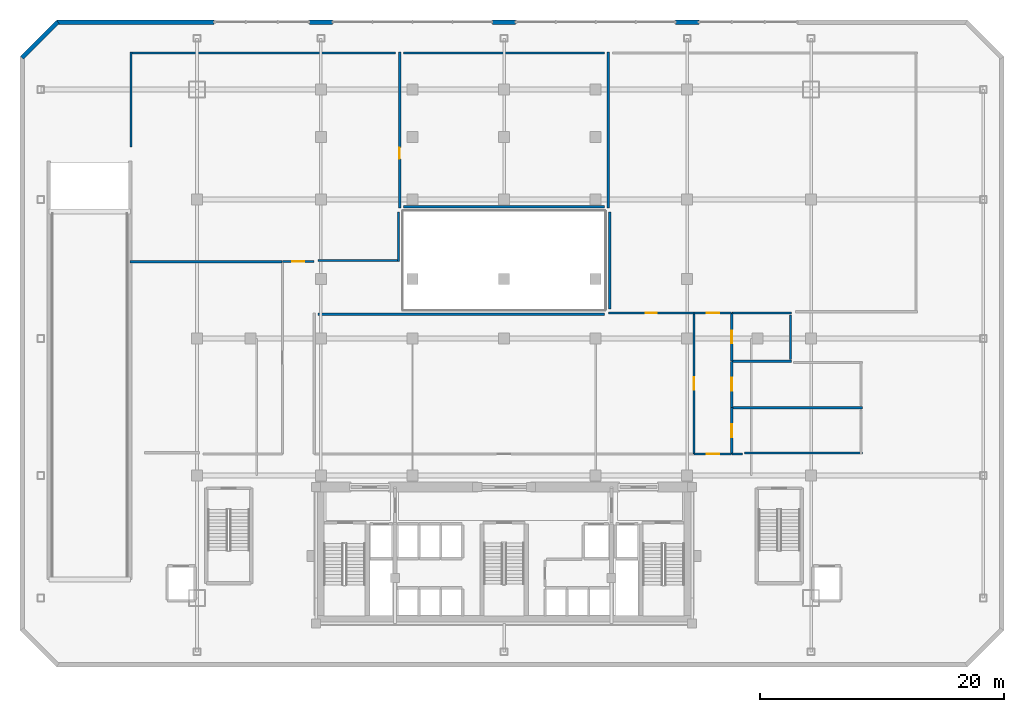
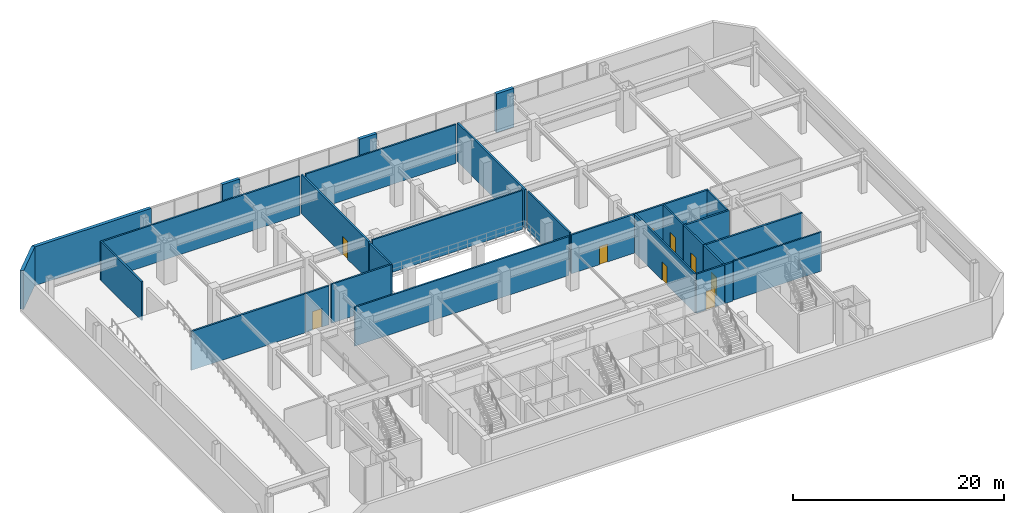
# One storey, part 12 of 15: 30 walls, 9 doors, 9 openings.
"""IFC4 building model written with IfcOpenShell, lengths in metres."""

from ifc_helpers import new_model, si_unit, direction, frame, frame_2d, origin, place, context, subcontext, project, spatial, rectangle, extrude, material, layer, layer_set, type_object, element, fill, save


model = new_model("IFC4")

# Units and contexts
model_context = context("Model", 3, precision=1e-05, world=origin(), true_north=direction((0.0, 1.0)))
body_context = subcontext(model_context, "Body", "Model", "MODEL_VIEW")
ifc_project = project(units=[si_unit("LENGTHUNIT", "METRE"), si_unit("AREAUNIT", "SQUARE_METRE"), si_unit("VOLUMEUNIT", "CUBIC_METRE"), si_unit("PLANEANGLEUNIT", "RADIAN"), si_unit("MASSUNIT", "GRAM", prefix="KILO")], contexts=[model_context])

# Site, building, storey
site_placement = place(None, origin())
site = spatial("IfcSite", under=ifc_project, at=site_placement, CompositionType="ELEMENT")
building_placement = place(site_placement, origin())
building = spatial("IfcBuilding", under=site, at=building_placement, Name="Ventersveld Concourse Tower", CompositionType="ELEMENT")
storey_placement = place(building_placement, frame((0.0, 0.0, 5.39990234375)))
storey = spatial("IfcBuildingStorey", under=building, at=storey_placement, Name="L01", CompositionType="ELEMENT", Elevation=5.39990234375)

# Wall, opening, door
ifc_material_1 = material(Name="Fire-rated autoclaved aerated masonry blockwork", Category="masonry")
ifc_layer_1 = layer(ifc_material_1, 0.179931640625)
ifc_layer_set_1 = layer_set([ifc_layer_1], Name="Fire-rated autoclaved aerated masonry blockwork")
wall_type_1 = type_object("IfcWallType", Name="WL-CORR-180", PredefinedType="PARTITIONING", material=ifc_layer_set_1)
wall_1_placement = place(storey_placement, frame((10.60498046875, 29.909912109375, 0.0), z_axis=(0.0, 0.0, 1.0), x_axis=(1.0, 0.0, 0.0)))
wall_1 = element("IfcWall", 1, at=wall_1_placement, inside=storey, type_object=wall_type_1, Name="L01 Interior Partition SP-L01-GAL-SP-L01-RET2", PredefinedType="PARTITIONING", context=body_context, shape_type="SweptSolid", body=[
    extrude(rectangle(XDim=2.590087890625, YDim=0.179931640625, at=frame_2d((1.294921875, 0.0))), origin(), (0.0, 0.0, 1.0), 4.5),
])
opening_1_placement = place(wall_1_placement, frame((0.794921875, 0.0, 0.0)))
opening_1 = element("IfcOpeningElement", 2, at=opening_1_placement, cuts=wall_1, Name="Opening FD3", PredefinedType="OPENING", context=body_context, shape_type="SweptSolid", body=[
    extrude(rectangle(XDim=1.0, YDim=2.14990234375, at=frame_2d((0.5, 1.074951171875))), frame((0.0, 0.10009765625, 0.0), z_axis=(0.0, -1.0, 0.0), x_axis=(1.0, 0.0, 0.0)), (0.0, 0.0, 1.0), 0.199951171875),
])
ifc_material_2 = material(Name="Solid-core hardwood veneer timber", Category="wood")
door_type_1 = type_object("IfcDoorType", Name="DR-FLAT-100", OperationType="NOTDEFINED", PredefinedType="DOOR", material=ifc_material_2)
door_1_placement = place(opening_1_placement, origin())
door_1 = element("IfcDoor", 3, at=door_1_placement, inside=storey, type_object=door_type_1, Name="L01 Interior Door SP-L01-GAL to SP-L01-RET2 (D-L01-0088)", OperationType="SINGLE_SWING_RIGHT", OverallHeight=2.14990234375, OverallWidth=1.0, PredefinedType="DOOR", context=body_context, shape_type="SweptSolid", body=[
    extrude(rectangle(XDim=1.0, YDim=2.14990234375, at=frame_2d((0.5, 1.074951171875))), frame((0.0, 0.02490234375, 0.0), z_axis=(0.0, -1.0, 0.0), x_axis=(1.0, 0.0, 0.0)), (0.0, 0.0, 1.0), 0.050048828125),
])
fill(opening_1, door_1)

wall_2_placement = place(storey_placement, frame((44.324951171875, 14.14990234375, 0.0), z_axis=(0.0, 0.0, 1.0), x_axis=(1.0, 0.0, 0.0)))
wall_2 = element("IfcWall", 4, at=wall_2_placement, inside=storey, type_object=wall_type_1, Name="L01 Interior Partition SP-L01-GAL-SP-L01-WCLOB", PredefinedType="PARTITIONING", context=body_context, shape_type="SweptSolid", body=[
    extrude(rectangle(XDim=3.070068359375, YDim=0.179931640625, at=frame_2d((1.53515625, 0.0))), origin(), (0.0, 0.0, 1.0), 4.5),
])
opening_2_placement = place(wall_2_placement, frame((1.034912109375, 0.0, 0.0)))
opening_2 = element("IfcOpeningElement", 5, at=opening_2_placement, cuts=wall_2, Name="Opening FD3", PredefinedType="OPENING", context=body_context, shape_type="SweptSolid", body=[
    extrude(rectangle(XDim=1.0, YDim=2.14990234375, at=frame_2d((0.5, 1.074951171875))), frame((0.0, 0.10009765625, 0.0), z_axis=(0.0, -1.0, 0.0), x_axis=(1.0, 0.0, 0.0)), (0.0, 0.0, 1.0), 0.199951171875),
])
door_2_placement = place(opening_2_placement, origin())
door_2 = element("IfcDoor", 6, at=door_2_placement, inside=storey, type_object=door_type_1, Name="L01 Interior Door SP-L01-GAL to SP-L01-WCLOB (D-L01-0089)", OperationType="SINGLE_SWING_LEFT", OverallHeight=2.14990234375, OverallWidth=1.0, PredefinedType="DOOR", context=body_context, shape_type="SweptSolid", body=[
    extrude(rectangle(XDim=1.0, YDim=2.14990234375, at=frame_2d((0.5, 1.074951171875))), frame((0.0, 0.02490234375, 0.0), z_axis=(0.0, -1.0, 0.0), x_axis=(1.0, 0.0, 0.0)), (0.0, 0.0, 1.0), 0.050048828125),
])
fill(opening_2, door_2)

# Wall
wall_3_placement = place(storey_placement, frame((47.425048828125, 14.14990234375, 0.0), z_axis=(0.0, 0.0, 1.0), x_axis=(1.0, 0.0, 0.0)))
element("IfcWall", 7, at=wall_3_placement, inside=storey, type_object=wall_type_1, Name="L01 Interior Partition SP-L01-GAL-SP-L01-MWC", PredefinedType="PARTITIONING", context=body_context, shape_type="SweptSolid", body=[
    extrude(rectangle(XDim=0.869873046875, YDim=0.179931640625, at=frame_2d((0.43505859375, 0.0))), origin(), (0.0, 0.0, 1.0), 4.5),
])

# Wall, opening, door
wall_4_placement = place(storey_placement, frame((44.300048828125, 14.155029296875, 0.0), z_axis=(0.0, 0.0, 1.0), x_axis=(0.0, 1.0, 0.0)))
wall_4 = element("IfcWall", 8, at=wall_4_placement, inside=storey, type_object=wall_type_1, Name="L01 Interior Partition SP-L01-RETC-SP-L01-WCLOB", PredefinedType="PARTITIONING", context=body_context, shape_type="SweptSolid", body=[
    extrude(rectangle(XDim=11.5400390625, YDim=0.179931640625, at=frame_2d((5.77001953125, 0.0))), origin(), (0.0, 0.0, 1.0), 4.5),
])
opening_3_placement = place(wall_4_placement, frame((5.27001953125, 0.0, 0.0)))
opening_3 = element("IfcOpeningElement", 9, at=opening_3_placement, cuts=wall_4, Name="Opening FD3", PredefinedType="OPENING", context=body_context, shape_type="SweptSolid", body=[
    extrude(rectangle(XDim=1.0, YDim=2.14990234375, at=frame_2d((0.5, 1.074951171875))), frame((0.0, 0.10009765625, 0.0), z_axis=(0.0, -1.0, 0.0), x_axis=(1.0, 0.0, 0.0)), (0.0, 0.0, 1.0), 0.199951171875),
])
door_3_placement = place(opening_3_placement, origin())
door_3 = element("IfcDoor", 10, at=door_3_placement, inside=storey, type_object=door_type_1, Name="L01 Interior Door SP-L01-RETC to SP-L01-WCLOB (D-L01-0091)", OperationType="SINGLE_SWING_LEFT", OverallHeight=2.14990234375, OverallWidth=1.0, PredefinedType="DOOR", context=body_context, shape_type="SweptSolid", body=[
    extrude(rectangle(XDim=1.0, YDim=2.14990234375, at=frame_2d((0.5, 1.074951171875))), frame((0.0, 0.02490234375, 0.0), z_axis=(0.0, -1.0, 0.0), x_axis=(1.0, 0.0, 0.0)), (0.0, 0.0, 1.0), 0.050048828125),
])
fill(opening_3, door_3)

wall_5_placement = place(storey_placement, frame((44.324951171875, 25.699951171875, 0.0), z_axis=(0.0, 0.0, 1.0), x_axis=(1.0, 0.0, 0.0)))
wall_5 = element("IfcWall", 11, at=wall_5_placement, inside=storey, type_object=wall_type_1, Name="L01 Interior Partition SP-L01-FOOD-SP-L01-WCLOB", PredefinedType="PARTITIONING", context=body_context, shape_type="SweptSolid", body=[
    extrude(rectangle(XDim=3.070068359375, YDim=0.179931640625, at=frame_2d((1.53515625, 0.0))), origin(), (0.0, 0.0, 1.0), 4.5),
])
opening_4_placement = place(wall_5_placement, frame((1.034912109375, 0.0, 0.0)))
opening_4 = element("IfcOpeningElement", 12, at=opening_4_placement, cuts=wall_5, Name="Opening FD3", PredefinedType="OPENING", context=body_context, shape_type="SweptSolid", body=[
    extrude(rectangle(XDim=1.0, YDim=2.14990234375, at=frame_2d((0.5, 1.074951171875))), frame((0.0, 0.10009765625, 0.0), z_axis=(0.0, -1.0, 0.0), x_axis=(1.0, 0.0, 0.0)), (0.0, 0.0, 1.0), 0.199951171875),
])
door_4_placement = place(opening_4_placement, origin())
door_4 = element("IfcDoor", 13, at=door_4_placement, inside=storey, type_object=door_type_1, Name="L01 Interior Door SP-L01-FOOD to SP-L01-WCLOB (D-L01-0093)", OperationType="SINGLE_SWING_LEFT", OverallHeight=2.14990234375, OverallWidth=1.0, PredefinedType="DOOR", context=body_context, shape_type="SweptSolid", body=[
    extrude(rectangle(XDim=1.0, YDim=2.14990234375, at=frame_2d((0.5, 1.074951171875))), frame((0.0, 0.02490234375, 0.0), z_axis=(0.0, -1.0, 0.0), x_axis=(1.0, 0.0, 0.0)), (0.0, 0.0, 1.0), 0.050048828125),
])
fill(opening_4, door_4)

wall_6_placement = place(storey_placement, frame((47.39990234375, 14.155029296875, 0.0), z_axis=(0.0, 0.0, 1.0), x_axis=(0.0, 1.0, 0.0)))
wall_6 = element("IfcWall", 14, at=wall_6_placement, inside=storey, type_object=wall_type_1, Name="L01 Interior Partition SP-L01-WCLOB-SP-L01-MWC", PredefinedType="PARTITIONING", context=body_context, shape_type="SweptSolid", body=[
    extrude(rectangle(XDim=3.7900390625, YDim=0.179931640625, at=frame_2d((1.89501953125, 0.0))), origin(), (0.0, 0.0, 1.0), 4.5),
])
opening_5_placement = place(wall_6_placement, frame((1.3701171875, 0.0, 0.0)))
opening_5 = element("IfcOpeningElement", 15, at=opening_5_placement, cuts=wall_6, Name="Opening ID3", PredefinedType="OPENING", context=body_context, shape_type="SweptSolid", body=[
    extrude(rectangle(XDim=1.050048828125, YDim=2.14990234375, at=frame_2d((0.52490234375, 1.074951171875))), frame((0.0, 0.10009765625, 0.0), z_axis=(0.0, -1.0, 0.0), x_axis=(1.0, 0.0, 0.0)), (0.0, 0.0, 1.0), 0.199951171875),
])
door_type_2 = type_object("IfcDoorType", Name="DR-AWC-105", OperationType="NOTDEFINED", PredefinedType="DOOR", material=ifc_material_2)
door_5_placement = place(opening_5_placement, origin())
door_5 = element("IfcDoor", 16, at=door_5_placement, inside=storey, type_object=door_type_2, Name="L01 Interior Door SP-L01-WCLOB to SP-L01-MWC (WD-L01-0094)", OperationType="SINGLE_SWING_RIGHT", OverallHeight=2.14990234375, OverallWidth=1.050048828125, PredefinedType="DOOR", context=body_context, shape_type="SweptSolid", body=[
    extrude(rectangle(XDim=1.050048828125, YDim=2.14990234375, at=frame_2d((0.52490234375, 1.074951171875))), frame((0.0, 0.02490234375, 0.0), z_axis=(0.0, -1.0, 0.0), x_axis=(1.0, 0.0, 0.0)), (0.0, 0.0, 1.0), 0.050048828125),
])
fill(opening_5, door_5)

wall_7_placement = place(storey_placement, frame((47.39990234375, 17.97509765625, 0.0), z_axis=(0.0, 0.0, 1.0), x_axis=(0.0, 1.0, 0.0)))
wall_7 = element("IfcWall", 17, at=wall_7_placement, inside=storey, type_object=wall_type_1, Name="L01 Interior Partition SP-L01-WCLOB-SP-L01-FWC", PredefinedType="PARTITIONING", context=body_context, shape_type="SweptSolid", body=[
    extrude(rectangle(XDim=3.77001953125, YDim=0.179931640625, at=frame_2d((1.885009765625, 0.0))), origin(), (0.0, 0.0, 1.0), 4.5),
])
opening_6_placement = place(wall_7_placement, frame((1.360107421875, 0.0, 0.0)))
opening_6 = element("IfcOpeningElement", 18, at=opening_6_placement, cuts=wall_7, Name="Opening ID3", PredefinedType="OPENING", context=body_context, shape_type="SweptSolid", body=[
    extrude(rectangle(XDim=1.050048828125, YDim=2.14990234375, at=frame_2d((0.52490234375, 1.074951171875))), frame((0.0, 0.10009765625, 0.0), z_axis=(0.0, -1.0, 0.0), x_axis=(1.0, 0.0, 0.0)), (0.0, 0.0, 1.0), 0.199951171875),
])
door_6_placement = place(opening_6_placement, origin())
door_6 = element("IfcDoor", 19, at=door_6_placement, inside=storey, type_object=door_type_2, Name="L01 Interior Door SP-L01-WCLOB to SP-L01-FWC (WD-L01-0095)", OperationType="SINGLE_SWING_LEFT", OverallHeight=2.14990234375, OverallWidth=1.050048828125, PredefinedType="DOOR", context=body_context, shape_type="SweptSolid", body=[
    extrude(rectangle(XDim=1.050048828125, YDim=2.14990234375, at=frame_2d((0.52490234375, 1.074951171875))), frame((0.0, 0.02490234375, 0.0), z_axis=(0.0, -1.0, 0.0), x_axis=(1.0, 0.0, 0.0)), (0.0, 0.0, 1.0), 0.050048828125),
])
fill(opening_6, door_6)

wall_8_placement = place(storey_placement, frame((47.39990234375, 21.77490234375, 0.0), z_axis=(0.0, 0.0, 1.0), x_axis=(0.0, 1.0, 0.0)))
wall_8 = element("IfcWall", 20, at=wall_8_placement, inside=storey, type_object=wall_type_1, Name="L01 Interior Partition SP-L01-WCLOB-SP-L01-AWC", PredefinedType="PARTITIONING", context=body_context, shape_type="SweptSolid", body=[
    extrude(rectangle(XDim=3.920166015625, YDim=0.179931640625, at=frame_2d((1.9599609375, 0.0))), origin(), (0.0, 0.0, 1.0), 4.5),
])
opening_7_placement = place(wall_8_placement, frame((1.43505859375, 0.0, 0.0)))
opening_7 = element("IfcOpeningElement", 21, at=opening_7_placement, cuts=wall_8, Name="Opening ID3", PredefinedType="OPENING", context=body_context, shape_type="SweptSolid", body=[
    extrude(rectangle(XDim=1.050048828125, YDim=2.14990234375, at=frame_2d((0.52490234375, 1.074951171875))), frame((0.0, 0.10009765625, 0.0), z_axis=(0.0, -1.0, 0.0), x_axis=(1.0, 0.0, 0.0)), (0.0, 0.0, 1.0), 0.199951171875),
])
door_7_placement = place(opening_7_placement, origin())
door_7 = element("IfcDoor", 22, at=door_7_placement, inside=storey, type_object=door_type_2, Name="L01 Interior Door SP-L01-WCLOB to SP-L01-AWC (WD-L01-0096)", OperationType="SINGLE_SWING_RIGHT", OverallHeight=2.14990234375, OverallWidth=1.050048828125, PredefinedType="DOOR", context=body_context, shape_type="SweptSolid", body=[
    extrude(rectangle(XDim=1.050048828125, YDim=2.14990234375, at=frame_2d((0.52490234375, 1.074951171875))), frame((0.0, 0.02490234375, 0.0), z_axis=(0.0, -1.0, 0.0), x_axis=(1.0, 0.0, 0.0)), (0.0, 0.0, 1.0), 0.050048828125),
])
fill(opening_7, door_7)

# Walls
wall_9_placement = place(storey_placement, frame((36.99267578125, 25.60009765625, 0.0), z_axis=(0.0, 0.0, 1.0), x_axis=(-1.0, 0.0, 0.0)))
element("IfcWall", 23, at=wall_9_placement, inside=storey, type_object=wall_type_1, Name="L01 Room Enclosure Wall SP-L01-RETC", PredefinedType="PARTITIONING", context=body_context, shape_type="SweptSolid", body=[
    extrude(rectangle(XDim=23.4677734375, YDim=0.179931640625, at=frame_2d((11.73388671875, 0.0))), origin(), (0.0, 0.0, 1.0), 4.5),
])
wall_10_placement = place(storey_placement, frame((13.510009765625, 30.0, 0.0), z_axis=(0.0, 0.0, 1.0), x_axis=(1.0, 0.0, 0.0)))
element("IfcWall", 24, at=wall_10_placement, inside=storey, type_object=wall_type_1, Name="L01 Room Enclosure Wall SP-L01-RET2", PredefinedType="PARTITIONING", context=body_context, shape_type="SweptSolid", body=[
    extrude(rectangle(XDim=6.68505859375, YDim=0.179931640625, at=frame_2d((3.342529296875, 0.0))), origin(), (0.0, 0.0, 1.0), 4.5),
])
wall_11_placement = place(storey_placement, frame((20.10009765625, 29.905029296875, 0.0), z_axis=(0.0, 0.0, 1.0), x_axis=(0.0, 1.0, 0.0)))
element("IfcWall", 25, at=wall_11_placement, inside=storey, type_object=wall_type_1, Name="L01 Room Enclosure Wall SP-L01-RET2", PredefinedType="PARTITIONING", context=body_context, shape_type="SweptSolid", body=[
    extrude(rectangle(XDim=4.087646484375, YDim=0.179931640625, at=frame_2d((2.0439453125, 0.0))), origin(), (0.0, 0.0, 1.0), 4.5),
])
wall_12_placement = place(storey_placement, frame((19.875, 47.0, 0.0), z_axis=(0.0, 0.0, 1.0), x_axis=(-1.0, 0.0, 0.0)))
element("IfcWall", 26, at=wall_12_placement, inside=storey, type_object=wall_type_1, Name="L01 Room Enclosure Wall SP-L01-RET2", PredefinedType="PARTITIONING", context=body_context, shape_type="SweptSolid", body=[
    extrude(rectangle(XDim=21.77001953125, YDim=0.179931640625, at=frame_2d((10.885009765625, 0.0))), origin(), (0.0, 0.0, 1.0), 4.5),
])
wall_13_placement = place(storey_placement, frame((-1.800048828125, 47.094970703125, 0.0), z_axis=(0.0, 0.0, 1.0), x_axis=(0.0, -1.0, 0.0)))
element("IfcWall", 27, at=wall_13_placement, inside=storey, type_object=wall_type_1, Name="L01 Room Enclosure Wall SP-L01-RET2", PredefinedType="PARTITIONING", context=body_context, shape_type="SweptSolid", body=[
    extrude(rectangle(XDim=7.79296875, YDim=0.179931640625, at=frame_2d((3.896484375, 0.0))), origin(), (0.0, 0.0, 1.0), 4.5),
])
wall_14_placement = place(storey_placement, frame((37.39990234375, 33.99267578125, 0.0), z_axis=(0.0, 0.0, 1.0), x_axis=(0.0, -1.0, 0.0)))
element("IfcWall", 28, at=wall_14_placement, inside=storey, type_object=wall_type_1, Name="L01 Room Enclosure Wall SP-L01-FOOD", PredefinedType="PARTITIONING", context=body_context, shape_type="SweptSolid", body=[
    extrude(rectangle(XDim=7.9677734375, YDim=0.179931640625, at=frame_2d((3.98388671875, 0.0))), origin(), (0.0, 0.0, 1.0), 4.5),
])
for number, where, z_axis, x_axis, name in (
    (29, (20.52490234375, 34.39990234375, 0.0), (0.0, 0.0, 1.0), (1.0, 0.0, 0.0), "L01 Room Enclosure Wall SP-L01-CAFE"),
    (30, (36.97509765625, 47.0, 0.0), (0.0, 0.0, 1.0), (-1.0, 0.0, 0.0), "L01 Room Enclosure Wall SP-L01-CAFE"),
):
    element("IfcWall", number, at=place(storey_placement, frame(where, z_axis=z_axis, x_axis=x_axis)), inside=storey, type_object=wall_type_1, Name=name, PredefinedType="PARTITIONING", context=body_context, shape_type="SweptSolid", body=[
        extrude(rectangle(XDim=16.4501953125, YDim=0.179931640625, at=frame_2d((8.22509765625, 0.0))), origin(), (0.0, 0.0, 1.0), 4.5),
    ])

# Wall, opening, door
ifc_layer_2 = layer(ifc_material_1, 0.199951171875)
ifc_layer_set_2 = layer_set([ifc_layer_2], Name="Fire-rated autoclaved aerated masonry blockwork")
wall_type_2 = type_object("IfcWallType", Name="WL-DEMISE-200", PredefinedType="PARTITIONING", material=ifc_layer_set_2)
wall_15_placement = place(storey_placement, frame((37.304931640625, 25.699951171875, 0.0), z_axis=(0.0, 0.0, 1.0), x_axis=(1.0, 0.0, 0.0)))
wall_15 = element("IfcWall", 31, at=wall_15_placement, inside=storey, type_object=wall_type_2, Name="L01 Interior Partition SP-L01-RETC-SP-L01-FOOD", PredefinedType="PARTITIONING", context=body_context, shape_type="SweptSolid", body=[
    extrude(rectangle(XDim=6.989990234375, YDim=0.199951171875, at=frame_2d((3.4951171875, 0.0))), origin(), (0.0, 0.0, 1.0), 4.5),
])
opening_8_placement = place(wall_15_placement, frame((3.034912109375, 0.0, 0.0)))
opening_8 = element("IfcOpeningElement", 32, at=opening_8_placement, cuts=wall_15, Name="Opening ID1", PredefinedType="OPENING", context=body_context, shape_type="SweptSolid", body=[
    extrude(rectangle(XDim=0.919921875, YDim=2.10009765625, at=frame_2d((0.4599609375, 1.050048828125))), frame((0.0, 0.10986328125, 0.0), z_axis=(0.0, -1.0, 0.0), x_axis=(1.0, 0.0, 0.0)), (0.0, 0.0, 1.0), 0.219970703125),
])
door_type_3 = type_object("IfcDoorType", Name="DR-ROOM-092", OperationType="NOTDEFINED", PredefinedType="DOOR", material=ifc_material_2)
door_8_placement = place(opening_8_placement, origin())
door_8 = element("IfcDoor", 33, at=door_8_placement, inside=storey, type_object=door_type_3, Name="L01 Interior Door SP-L01-RETC to SP-L01-FOOD (D-L01-0090)", OperationType="SINGLE_SWING_RIGHT", OverallHeight=2.10009765625, OverallWidth=0.919921875, PredefinedType="DOOR", context=body_context, shape_type="SweptSolid", body=[
    extrude(rectangle(XDim=0.919921875, YDim=2.10009765625, at=frame_2d((0.4599609375, 1.050048828125))), frame((0.0, 0.02490234375, 0.0), z_axis=(0.0, -1.0, 0.0), x_axis=(1.0, 0.0, 0.0)), (0.0, 0.0, 1.0), 0.050048828125),
])
fill(opening_8, door_8)

# Wall
wall_16_placement = place(storey_placement, frame((-1.89501953125, 29.89990234375, 0.0), z_axis=(0.0, 0.0, 1.0), x_axis=(1.0, 0.0, 0.0)))
element("IfcWall", 34, at=wall_16_placement, inside=storey, type_object=wall_type_2, Name="L01 Interior Partition SP-L01-RET1-SP-L01-RET2", PredefinedType="PARTITIONING", context=body_context, shape_type="SweptSolid", body=[
    extrude(rectangle(XDim=12.471923828125, YDim=0.199951171875, at=frame_2d((6.23583984375, 0.0))), origin(), (0.0, 0.0, 1.0), 4.5),
])

# Wall, opening, door
wall_17_placement = place(storey_placement, frame((20.199951171875, 34.304931640625, 0.0), z_axis=(0.0, 0.0, 1.0), x_axis=(0.0, 1.0, 0.0)))
wall_17 = element("IfcWall", 35, at=wall_17_placement, inside=storey, type_object=wall_type_2, Name="L01 Interior Partition SP-L01-RET2-SP-L01-CAFE", PredefinedType="PARTITIONING", context=body_context, shape_type="SweptSolid", body=[
    extrude(rectangle(XDim=12.7900390625, YDim=0.199951171875, at=frame_2d((6.39501953125, 0.0))), origin(), (0.0, 0.0, 1.0), 4.5),
])
opening_9_placement = place(wall_17_placement, frame((4.0166015625, 0.0, 0.0)))
opening_9 = element("IfcOpeningElement", 36, at=opening_9_placement, cuts=wall_17, Name="Opening ID1", PredefinedType="OPENING", context=body_context, shape_type="SweptSolid", body=[
    extrude(rectangle(XDim=0.919921875, YDim=2.10009765625, at=frame_2d((0.4599609375, 1.050048828125))), frame((0.0, 0.10986328125, 0.0), z_axis=(0.0, -1.0, 0.0), x_axis=(1.0, 0.0, 0.0)), (0.0, 0.0, 1.0), 0.219970703125),
])
door_9_placement = place(opening_9_placement, origin())
door_9 = element("IfcDoor", 37, at=door_9_placement, inside=storey, type_object=door_type_3, Name="L01 Interior Door SP-L01-RET2 to SP-L01-CAFE (D-L01-0092)", OperationType="SINGLE_SWING_RIGHT", OverallHeight=2.10009765625, OverallWidth=0.919921875, PredefinedType="DOOR", context=body_context, shape_type="SweptSolid", body=[
    extrude(rectangle(XDim=0.919921875, YDim=2.10009765625, at=frame_2d((0.4599609375, 1.050048828125))), frame((0.0, 0.02490234375, 0.0), z_axis=(0.0, -1.0, 0.0), x_axis=(1.0, 0.0, 0.0)), (0.0, 0.0, 1.0), 0.050048828125),
])
fill(opening_9, door_9)

# Walls
wall_18_placement = place(storey_placement, frame((37.300048828125, 34.304931640625, 0.0), z_axis=(0.0, 0.0, 1.0), x_axis=(0.0, 1.0, 0.0)))
element("IfcWall", 38, at=wall_18_placement, inside=storey, type_object=wall_type_2, Name="L01 Interior Partition SP-L01-FOOD-SP-L01-CAFE", PredefinedType="PARTITIONING", context=body_context, shape_type="SweptSolid", body=[
    extrude(rectangle(XDim=12.7900390625, YDim=0.199951171875, at=frame_2d((6.39501953125, 0.0))), origin(), (0.0, 0.0, 1.0), 4.5),
])
wall_19_placement = place(storey_placement, frame((47.425048828125, 25.699951171875, 0.0), z_axis=(0.0, 0.0, 1.0), x_axis=(1.0, 0.0, 0.0)))
element("IfcWall", 39, at=wall_19_placement, inside=storey, type_object=wall_type_2, Name="L01 Interior Partition SP-L01-FOOD-SP-L01-AWC", PredefinedType="PARTITIONING", context=body_context, shape_type="SweptSolid", body=[
    extrude(rectangle(XDim=4.869873046875, YDim=0.199951171875, at=frame_2d((2.43505859375, 0.0))), origin(), (0.0, 0.0, 1.0), 4.5),
])
wall_20_placement = place(storey_placement, frame((47.405029296875, 17.93994140625, 0.0), z_axis=(0.0, 0.0, 1.0), x_axis=(1.0, 0.0, 0.0)))
element("IfcWall", 40, at=wall_20_placement, inside=storey, type_object=wall_type_2, Name="L01 Interior Partition SP-L01-MWC-SP-L01-FWC", PredefinedType="PARTITIONING", context=body_context, shape_type="SweptSolid", body=[
    extrude(rectangle(XDim=10.68994140625, YDim=0.199951171875, at=frame_2d((5.344970703125, 0.0))), origin(), (0.0, 0.0, 1.0), 4.5),
])
wall_21_placement = place(storey_placement, frame((47.405029296875, 21.739990234375, 0.0), z_axis=(0.0, 0.0, 1.0), x_axis=(1.0, 0.0, 0.0)))
element("IfcWall", 41, at=wall_21_placement, inside=storey, type_object=wall_type_2, Name="L01 Interior Partition SP-L01-FWC-SP-L01-AWC", PredefinedType="PARTITIONING", context=body_context, shape_type="SweptSolid", body=[
    extrude(rectangle(XDim=4.889892578125, YDim=0.199951171875, at=frame_2d((2.44482421875, 0.0))), origin(), (0.0, 0.0, 1.0), 4.5),
])
ifc_material_3 = material(Name="Precast concrete C45/55", Category="concrete")
ifc_layer_3 = layer(ifc_material_3, 0.35009765625)
ifc_layer_set_3 = layer_set([ifc_layer_3], Name="Precast concrete C45/55")
wall_type_3 = type_object("IfcWallType", Name="WL-PREC-350", PredefinedType="SOLIDWALL", material=ifc_layer_set_3)
wall_22_placement = place(storey_placement, frame((-7.860107421875, 49.52001953125, 0.0), z_axis=(0.0, 0.0, 1.0), x_axis=(1.0, 0.0, 0.0)))
element("IfcWall", 42, at=wall_22_placement, inside=storey, type_object=wall_type_3, Name="L01 North Precast Pier NW", PredefinedType="SOLIDWALL", context=body_context, shape_type="SweptSolid", body=[
    extrude(rectangle(XDim=12.860107421875, YDim=0.35009765625, at=frame_2d((6.43017578125, 0.0))), origin(), (0.0, 0.0, 1.0), 4.5),
])
for number, where, z_axis, x_axis, name in (
    (43, (12.800048828125, 49.52001953125, 0.0), (0.0, 0.0, 1.0), (1.0, 0.0, 0.0), "L01 North Precast Pier P1"),
    (44, (27.800048828125, 49.52001953125, 0.0), (0.0, 0.0, 1.0), (1.0, 0.0, 0.0), "L01 North Precast Pier P2"),
    (45, (42.800048828125, 49.52001953125, 0.0), (0.0, 0.0, 1.0), (1.0, 0.0, 0.0), "L01 North Precast Pier P3"),
):
    element("IfcWall", number, at=place(storey_placement, frame(where, z_axis=z_axis, x_axis=x_axis)), inside=storey, type_object=wall_type_3, Name=name, PredefinedType="SOLIDWALL", context=body_context, shape_type="SweptSolid", body=[
        extrude(rectangle(XDim=1.89990234375, YDim=0.35009765625, at=frame_2d((0.949951171875, 0.0))), origin(), (0.0, 0.0, 1.0), 4.5),
    ])
wall_23_placement = place(storey_placement, frame((-7.801025390625, 49.54443359375, 0.0), z_axis=(0.0, 0.0, 1.0), x_axis=(-0.707106781187, -0.707106781187, 0.0)))
element("IfcWall", 46, at=wall_23_placement, inside=storey, type_object=wall_type_3, Name="L01 Podium Precast Perimeter Wall 06", PredefinedType="SOLIDWALL", context=body_context, shape_type="SweptSolid", body=[
    extrude(rectangle(XDim=4.16259765625, YDim=0.35009765625, at=frame_2d((2.081298828125, 0.0))), origin(), (0.0, 0.0, 1.0), 4.5),
])
ifc_material_4 = material(Name="Autoclaved aerated masonry blockwork", Category="masonry")
ifc_layer_4 = layer(ifc_material_4, 0.1650390625)
ifc_layer_set_4 = layer_set([ifc_layer_4], Name="Autoclaved aerated masonry blockwork")
wall_type_4 = type_object("IfcWallType", Name="WL-WET-165", PredefinedType="PLUMBINGWALL", material=ifc_layer_set_4)
wall_24_placement = place(storey_placement, frame((48.43994140625, 14.25, 0.0), z_axis=(0.0, 0.0, 1.0), x_axis=(1.0, 0.0, 0.0)))
element("IfcWall", 47, at=wall_24_placement, inside=storey, type_object=wall_type_4, Name="L01 Room Enclosure Wall SP-L01-MWC", PredefinedType="PLUMBINGWALL", context=body_context, shape_type="SweptSolid", body=[
    extrude(rectangle(XDim=9.655029296875, YDim=0.1650390625, at=frame_2d((4.82763671875, 0.0))), origin(), (0.0, 0.0, 1.0), 4.5),
])
wall_25_placement = place(storey_placement, frame((52.199951171875, 21.905029296875, 0.0), z_axis=(0.0, 0.0, 1.0), x_axis=(0.0, 1.0, 0.0)))
element("IfcWall", 48, at=wall_25_placement, inside=storey, type_object=wall_type_4, Name="L01 Room Enclosure Wall SP-L01-AWC", PredefinedType="PLUMBINGWALL", context=body_context, shape_type="SweptSolid", body=[
    extrude(rectangle(XDim=3.6298828125, YDim=0.1650390625, at=frame_2d((1.81494140625, 0.0))), origin(), (0.0, 0.0, 1.0), 4.5),
])

save(model, "model.ifc")
